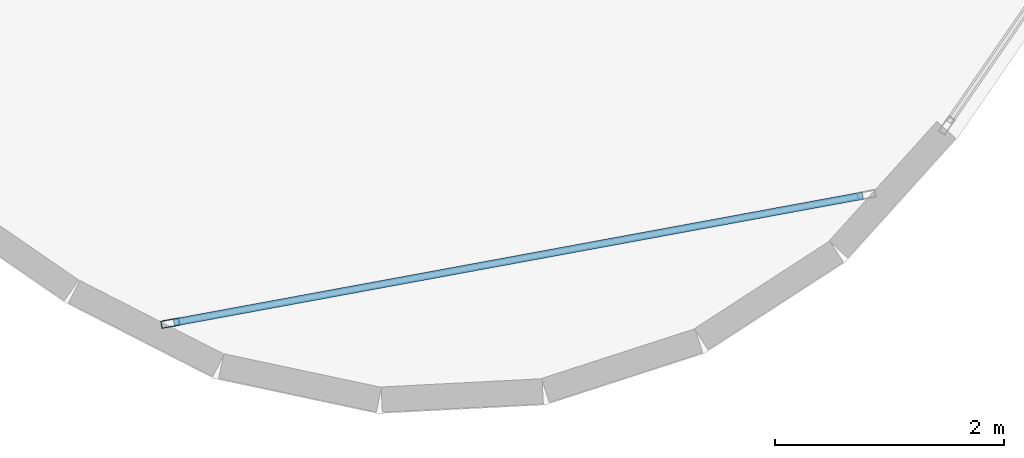
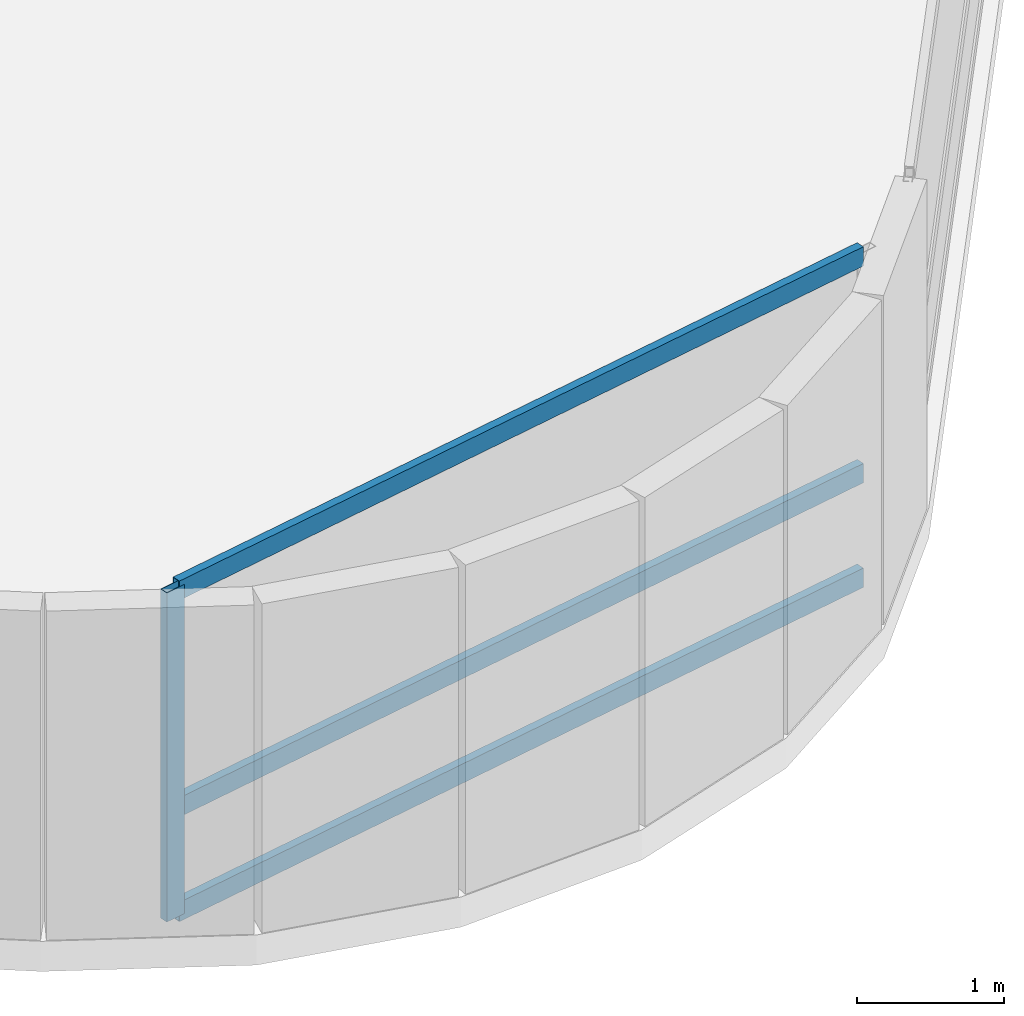
# One storey, part 2 of 27: 4 members, 1 element without a shape of its own.
"""IFC4 building model written with IfcOpenShell, lengths in metres."""

from ifc_helpers import new_model, si_unit, direction, frame, origin, origin_2d, place, context, subcontext, project, spatial, hollow_rectangle, extrude, material, layer, layer_set, material_profile, profile_set, type_object, element, aggregate, save


model = new_model("IFC4")

# Units and contexts
model_context = context("Model", 3, precision=1e-05, world=origin(), true_north=direction((0.0, 1.0)))
body_context = subcontext(model_context, "Body", "Model", "MODEL_VIEW")
ifc_project = project(units=[si_unit("LENGTHUNIT", "METRE"), si_unit("AREAUNIT", "SQUARE_METRE"), si_unit("VOLUMEUNIT", "CUBIC_METRE"), si_unit("PLANEANGLEUNIT", "RADIAN"), si_unit("MASSUNIT", "GRAM", prefix="KILO")], contexts=[model_context])

# Site, building, storey
site_placement = place(None, origin())
site = spatial("IfcSite", under=ifc_project, at=site_placement, CompositionType="ELEMENT")
building_placement = place(site_placement, origin())
building = spatial("IfcBuilding", under=site, at=building_placement, Name="Varnelok Gate Tower", CompositionType="ELEMENT")
storey_placement = place(building_placement, frame((0.0, 0.0, 60.300048828125)))
storey = spatial("IfcBuildingStorey", under=building, at=storey_placement, Name="L14", CompositionType="ELEMENT", Elevation=60.300048828125)

# Curtain wall, members
ifc_material = material(Name="Anodized Aluminum Alloy 6063-T6", Category="aluminium")
ifc_layer = layer(ifc_material, 0.179931640625)
ifc_layer_set = layer_set([ifc_layer], Name="Anodized Aluminum Alloy 6063-T6")
curtain_wall_type = type_object("IfcCurtainWallType", Name="CW5-WINDCORNER-GLAZ", PredefinedType="USERDEFINED", material=ifc_layer_set)
curtain_wall_placement = place(storey_placement, origin())
curtain_wall = element("IfcCurtainWall", 1, at=curtain_wall_placement, inside=storey, type_object=curtain_wall_type, Name="L14 Wind-Shaped Corner Curtain Wall SE", ObjectType="STRUCTURAL GLAZING", PredefinedType="USERDEFINED")
ifc_material_profile_1 = material_profile(ifc_material, hollow_rectangle(XDim=0.06494140625, YDim=0.159912109375, WallThickness=0.00390625, at=origin_2d()), Name="ALU160X65X4")
ifc_profile_set_1 = profile_set([ifc_material_profile_1], Name="Anodized Aluminum Alloy 6063-T6")
member_type_1 = type_object("IfcMemberType", Name="CW-MULL-160", PredefinedType="MULLION", material=ifc_profile_set_1)
member_1_placement = place(storey_placement, frame((53.441162109375, -14.778076171875, 0.0), z_axis=(0.0, 0.0, 1.0), x_axis=(-0.181203239917, 0.983445670001, 0.0)))
member_1 = element("IfcMember", 2, at=member_1_placement, type_object=member_type_1, Name="CW5 mullion 1", PredefinedType="MULLION", context=body_context, shape_type="SweptSolid", body=[
    extrude(hollow_rectangle(XDim=0.06494140625, YDim=0.159912109375, WallThickness=0.00390625, at=origin_2d()), origin(), (0.0, 0.0, 1.0), 2.72998046875),
])
ifc_material_profile_2 = material_profile(ifc_material, hollow_rectangle(XDim=0.06494140625, YDim=0.159912109375, WallThickness=0.00390625, at=origin_2d()), Name="ALU160X65X4")
ifc_profile_set_2 = profile_set([ifc_material_profile_2], Name="Anodized Aluminum Alloy 6063-T6")
member_type_2 = type_object("IfcMemberType", Name="CW-TRAN-160", PredefinedType="USERDEFINED", material=ifc_profile_set_2)
member_2_placement = place(storey_placement, frame((53.47314453125, -14.772216796875, 0.032470703125), z_axis=(0.983440439524, 0.181231625025, 0.0), x_axis=(-0.181231625025, 0.983440439524, 0.0)))
member_2 = element("IfcMember", 3, at=member_2_placement, type_object=member_type_2, Name="CW5 transom 1.1", ObjectType="TRANSOM", PredefinedType="USERDEFINED", context=body_context, shape_type="SweptSolid", body=[
    extrude(hollow_rectangle(XDim=0.06494140625, YDim=0.159912109375, WallThickness=0.00390625, at=origin_2d()), origin(), (0.0, 0.0, 1.0), 6.1064453125),
])
member_3_placement = place(storey_placement, frame((53.47314453125, -14.772216796875, 0.89990234375), z_axis=(0.983440439524, 0.181231625025, 0.0), x_axis=(-0.181231625025, 0.983440439524, 0.0)))
member_3 = element("IfcMember", 4, at=member_3_placement, type_object=member_type_2, Name="CW5 transom 1.2", ObjectType="TRANSOM", PredefinedType="USERDEFINED", context=body_context, shape_type="SweptSolid", body=[
    extrude(hollow_rectangle(XDim=0.06494140625, YDim=0.159912109375, WallThickness=0.00390625, at=origin_2d()), origin(), (0.0, 0.0, 1.0), 6.1064453125),
])
member_4_placement = place(storey_placement, frame((53.47314453125, -14.772216796875, 2.697509765625), z_axis=(0.983440439524, 0.181231625025, 0.0), x_axis=(-0.181231625025, 0.983440439524, 0.0)))
member_4 = element("IfcMember", 5, at=member_4_placement, type_object=member_type_2, Name="CW5 transom 1.3", ObjectType="TRANSOM", PredefinedType="USERDEFINED", context=body_context, shape_type="SweptSolid", body=[
    extrude(hollow_rectangle(XDim=0.06494140625, YDim=0.159912109375, WallThickness=0.00390625, at=origin_2d()), origin(), (0.0, 0.0, 1.0), 6.1064453125),
])
aggregate(curtain_wall, [member_1, member_2, member_3, member_4])

save(model, "model.ifc")
